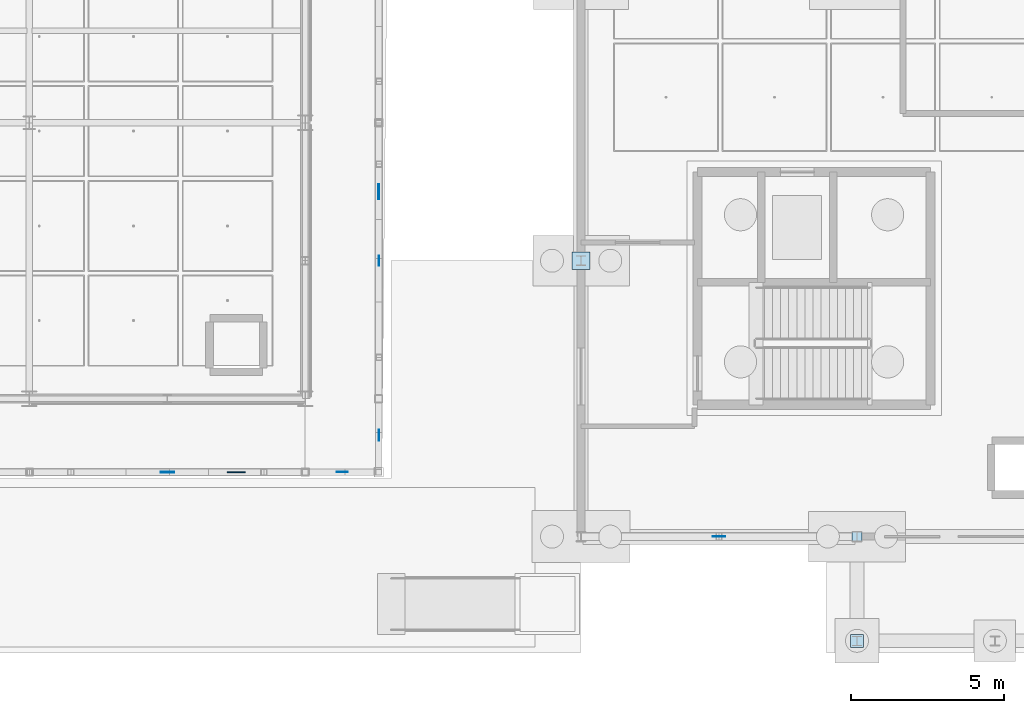
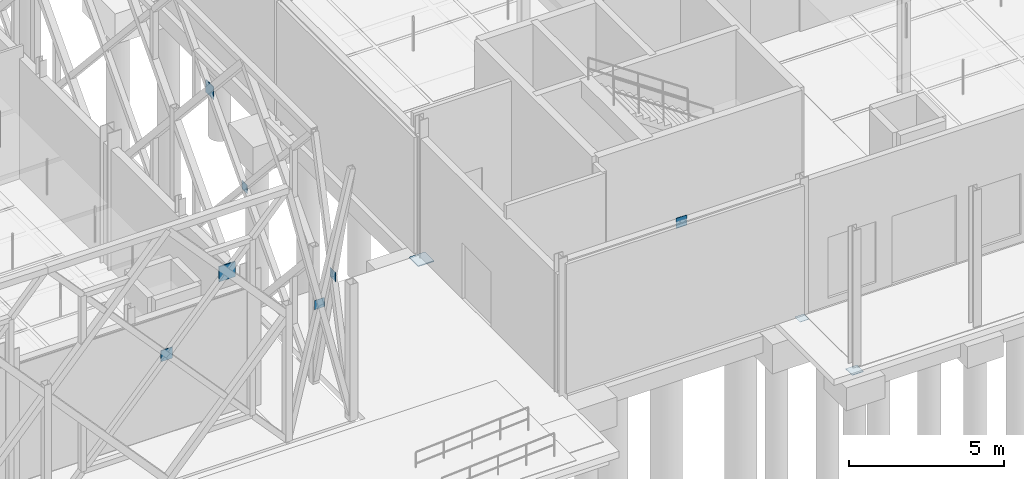
# One storey, part 82 of 180: 10 plates.
"""IFC4 building model written with IfcOpenShell, lengths in metres."""

from ifc_helpers import new_model, si_unit, direction, frame, origin, origin_2d, place, context, subcontext, project, spatial, rectangle, extrude, material, layer, layer_set, type_object, element, save


model = new_model("IFC4")

# Units and contexts
model_context = context("Model", 3, precision=1e-05, world=origin(), true_north=direction((0.0, 1.0)))
body_context = subcontext(model_context, "Body", "Model", "MODEL_VIEW")
ifc_project = project(units=[si_unit("LENGTHUNIT", "METRE"), si_unit("AREAUNIT", "SQUARE_METRE"), si_unit("VOLUMEUNIT", "CUBIC_METRE"), si_unit("PLANEANGLEUNIT", "RADIAN"), si_unit("MASSUNIT", "GRAM", prefix="KILO"), si_unit("THERMODYNAMICTEMPERATUREUNIT", "KELVIN"), si_unit("POWERUNIT", "WATT")], contexts=[model_context])

# Site, building, storey
site_placement = place(None, origin())
site = spatial("IfcSite", under=ifc_project, at=site_placement, CompositionType="ELEMENT")
building_placement = place(site_placement, origin())
building = spatial("IfcBuilding", under=site, at=building_placement, Name="Tallowbark Science Centre", CompositionType="ELEMENT")
storey_placement = place(building_placement, origin())
storey = spatial("IfcBuildingStorey", under=building, at=storey_placement, Name="L00", CompositionType="ELEMENT", Elevation=0.0)

# Plates
ifc_material = material(Name="Structural Steel Grade 300PLUS (300 MPa)", Category="steel")
ifc_layer_1 = layer(ifc_material, 0.013916015625)
ifc_layer_set_1 = layer_set([ifc_layer_1], Name="Structural Steel Grade 300PLUS (300 MPa)")
plate_type_1 = type_object("IfcPlateType", Name="PLT-GUS-14", PredefinedType="SHEET", material=ifc_layer_set_1)
plate_1_placement = place(storey_placement, frame((121.5, 0.0, -0.23974609375), z_axis=(0.0, 0.0, 1.0), x_axis=(1.0, 0.0, 0.0)))
element("IfcPlate", 1, at=plate_1_placement, inside=storey, type_object=plate_type_1, Name="Column Baseplate THT-M1_0", PredefinedType="SHEET", context=body_context, shape_type="SweptSolid", body=[
    extrude(rectangle(XDim=0.340087890625, YDim=0.340087890625, at=origin_2d()), origin(), (0.0, 0.0, 1.0), 0.013916015625),
])
plate_2_placement = place(storey_placement, frame((105.89990234375, 9.0, 4.77978515625), z_axis=(0.0, 0.0, 1.0), x_axis=(0.0, 1.0, 0.0)))
element("IfcPlate", 2, at=plate_2_placement, inside=storey, type_object=plate_type_1, Name="Star X-Brace Crossing Gusset Plate E-11", PredefinedType="SHEET", context=body_context, shape_type="SweptSolid", body=[
    extrude(rectangle(XDim=0.340087890625, YDim=0.013916015625, at=origin_2d()), origin(), (0.0, 0.0, 1.0), 0.340087890625),
])
ifc_layer_2 = layer(ifc_material, 0.01611328125)
ifc_layer_set_2 = layer_set([ifc_layer_2], Name="Structural Steel Grade 300PLUS (300 MPa)")
plate_type_2 = type_object("IfcPlateType", Name="PLT-GUS-16", PredefinedType="SHEET", material=ifc_layer_set_2)
for number, where, z_axis, x_axis, name in (
    (3, (104.699951171875, 2.10009765625, 4.77001953125), (0.0, 0.0, 1.0), (1.0, 0.0, 0.0), "Star Screen Corner X-Brace Gusset SEX-L00"),
    (4, (105.89990234375, 3.300048828125, 4.77001953125), (0.0, 0.0, 1.0), (0.0, 1.0, 0.0), "Star Screen Corner X-Brace Gusset SEY-L00"),
):
    element("IfcPlate", number, at=place(storey_placement, frame(where, z_axis=z_axis, x_axis=x_axis)), inside=storey, type_object=plate_type_2, Name=name, PredefinedType="SHEET", context=body_context, shape_type="SweptSolid", body=[
        extrude(rectangle(XDim=0.360107421875, YDim=0.01611328125, at=origin_2d()), origin(), (0.0, 0.0, 1.0), 0.360107421875),
    ])
ifc_layer_3 = layer(ifc_material, 0.02001953125)
ifc_layer_set_3 = layer_set([ifc_layer_3], Name="Structural Steel Grade 300PLUS (300 MPa)")
plate_type_3 = type_object("IfcPlateType", Name="PLT-GUS-20", PredefinedType="SHEET", material=ifc_layer_set_3)
plate_3_placement = place(storey_placement, frame((117.0, 0.0, 4.949951171875), z_axis=(0.0, 0.0, 1.0), x_axis=(1.0, 0.0, 0.0)))
element("IfcPlate", 5, at=plate_3_placement, inside=storey, type_object=plate_type_3, Name="Chevron Brace Apex Gusset CBF-THT-S1 L00", PredefinedType="SHEET", context=body_context, shape_type="SweptSolid", body=[
    extrude(rectangle(XDim=0.39990234375, YDim=0.02001953125, at=origin_2d()), origin(), (0.0, 0.0, 1.0), 0.39990234375),
])
ifc_layer_4 = layer(ifc_material, 0.02197265625)
ifc_layer_set_4 = layer_set([ifc_layer_4], Name="Structural Steel Grade 300PLUS (300 MPa)")
plate_type_4 = type_object("IfcPlateType", Name="PLT-GUS-22", PredefinedType="SHEET", material=ifc_layer_set_4)
plate_4_placement = place(storey_placement, frame((121.5, -3.39990234375, -0.239990234375), z_axis=(0.0, 0.0, 1.0), x_axis=(1.0, 0.0, 0.0)))
element("IfcPlate", 6, at=plate_4_placement, inside=storey, type_object=plate_type_4, Name="Column Baseplate THT-POR-00", PredefinedType="SHEET", context=body_context, shape_type="SweptSolid", body=[
    extrude(rectangle(XDim=0.419921875, YDim=0.419921875, at=origin_2d()), origin(), (0.0, 0.0, 1.0), 0.02197265625),
])
ifc_layer_5 = layer(ifc_material, 0.02392578125)
ifc_layer_set_5 = layer_set([ifc_layer_5], Name="Structural Steel Grade 300PLUS (300 MPa)")
plate_type_5 = type_object("IfcPlateType", Name="PLT-GUS-24", PredefinedType="SHEET", material=ifc_layer_set_5)
plate_5_placement = place(storey_placement, frame((99.0, 2.10009765625, 4.72998046875), z_axis=(0.0, 0.0, 1.0), x_axis=(1.0, 0.0, 0.0)))
element("IfcPlate", 7, at=plate_5_placement, inside=storey, type_object=plate_type_5, Name="Star X-Brace Crossing Gusset Plate S-8", PredefinedType="SHEET", context=body_context, shape_type="SweptSolid", body=[
    extrude(rectangle(XDim=0.43994140625, YDim=0.02392578125, at=origin_2d()), origin(), (0.0, 0.0, 1.0), 0.43994140625),
])
ifc_layer_6 = layer(ifc_material, 0.030029296875)
ifc_layer_set_6 = layer_set([ifc_layer_6], Name="Structural Steel Grade 300PLUS (300 MPa)")
plate_type_6 = type_object("IfcPlateType", Name="PLT-GUS-30", PredefinedType="SHEET", material=ifc_layer_set_6)
plate_6_placement = place(storey_placement, frame((105.89990234375, 11.25, 7.175048828125), z_axis=(0.0, 0.0, 1.0), x_axis=(0.0, 1.0, 0.0)))
element("IfcPlate", 8, at=plate_6_placement, inside=storey, type_object=plate_type_6, Name="Star Primary Chord Crossing Gusset Plate E-11", PredefinedType="SHEET", context=body_context, shape_type="SweptSolid", body=[
    extrude(rectangle(XDim=0.5, YDim=0.030029296875, at=origin_2d()), origin(), (0.0, 0.0, 1.0), 0.5),
])
ifc_layer_7 = layer(ifc_material, 0.0380859375)
ifc_layer_set_7 = layer_set([ifc_layer_7], Name="Structural Steel Grade 300PLUS (300 MPa)")
plate_type_7 = type_object("IfcPlateType", Name="PLT-GUS-38", PredefinedType="SHEET", material=ifc_layer_set_7)
plate_7_placement = place(storey_placement, frame((112.5, 9.0, -0.239990234375), z_axis=(0.0, 0.0, 1.0), x_axis=(1.0, 0.0, 0.0)))
element("IfcPlate", 9, at=plate_7_placement, inside=storey, type_object=plate_type_7, Name="Column Baseplate THT-M0_1", PredefinedType="SHEET", context=body_context, shape_type="SweptSolid", body=[
    extrude(rectangle(XDim=0.580078125, YDim=0.580078125, at=origin_2d()), origin(), (0.0, 0.0, 1.0), 0.0380859375),
])
ifc_layer_8 = layer(ifc_material, 0.0400390625)
ifc_layer_set_8 = layer_set([ifc_layer_8], Name="Structural Steel Grade 300PLUS (300 MPa)")
plate_type_8 = type_object("IfcPlateType", Name="PLT-GUS-40", PredefinedType="SHEET", material=ifc_layer_set_8)
plate_8_placement = place(storey_placement, frame((101.25, 2.10009765625, 7.125), z_axis=(0.0, 0.0, 1.0), x_axis=(1.0, 0.0, 0.0)))
element("IfcPlate", 10, at=plate_8_placement, inside=storey, type_object=plate_type_8, Name="Star Primary Chord Crossing Gusset Plate S-8", PredefinedType="SHEET", context=body_context, shape_type="SweptSolid", body=[
    extrude(rectangle(XDim=0.60009765625, YDim=0.0400390625, at=origin_2d()), origin(), (0.0, 0.0, 1.0), 0.60009765625),
])

save(model, "model.ifc")
